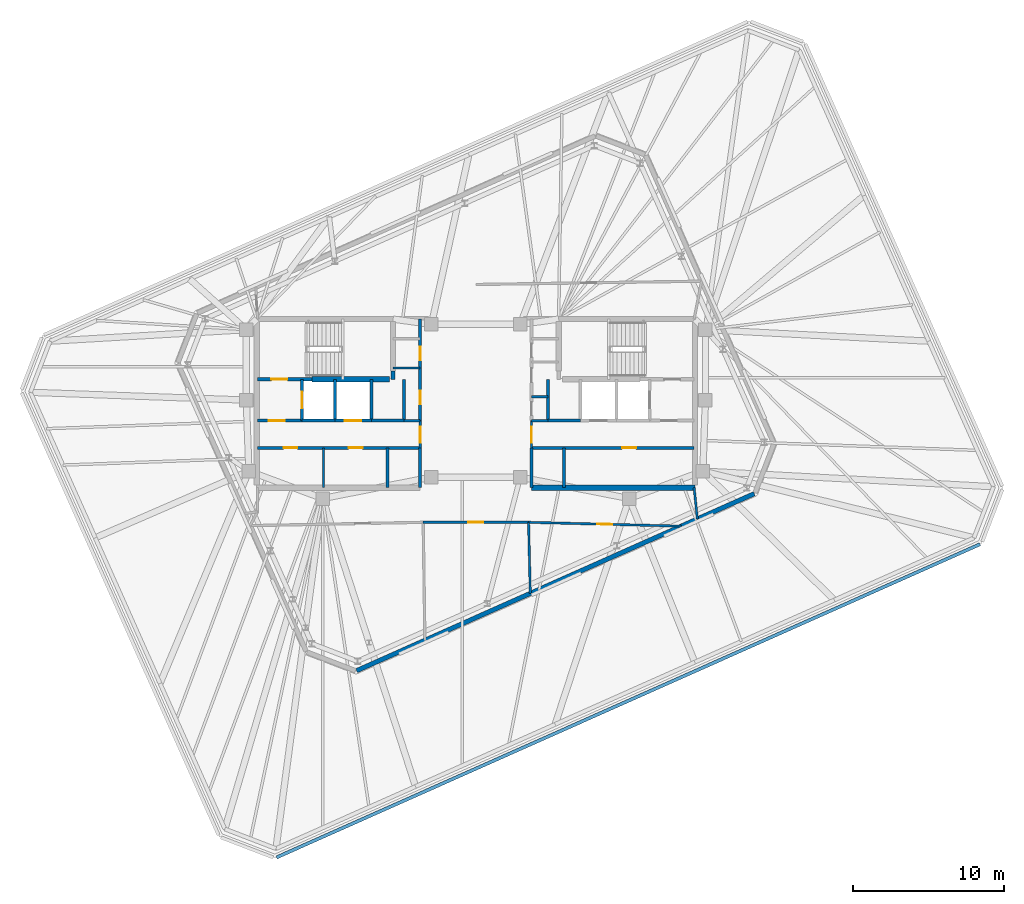
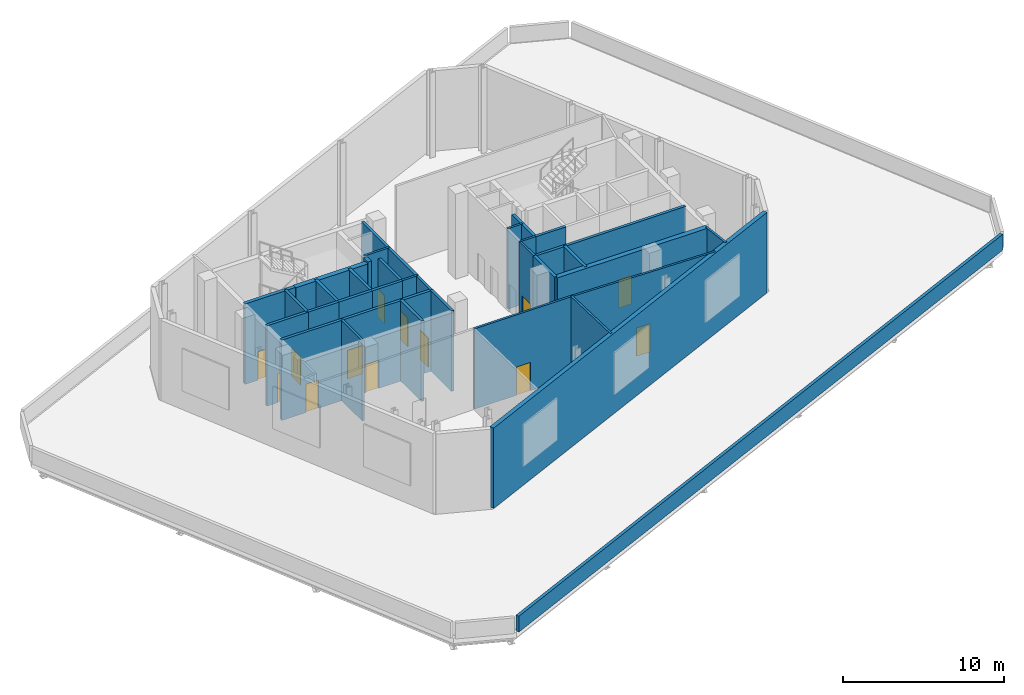
# One storey, part 7 of 10: 34 walls, 13 doors, 13 openings.
"""IFC4 building model written with IfcOpenShell, lengths in metres."""

from ifc_helpers import new_model, si_unit, direction, frame, frame_2d, origin, place, context, subcontext, project, spatial, rectangle, extrude, material, layer, layer_set, type_object, element, fill, save


model = new_model("IFC4")

# Units and contexts
model_context = context("Model", 3, precision=1e-05, world=origin(), true_north=direction((0.0, 1.0)))
body_context = subcontext(model_context, "Body", "Model", "MODEL_VIEW")
ifc_project = project(units=[si_unit("LENGTHUNIT", "METRE"), si_unit("AREAUNIT", "SQUARE_METRE"), si_unit("VOLUMEUNIT", "CUBIC_METRE"), si_unit("PLANEANGLEUNIT", "RADIAN"), si_unit("MASSUNIT", "GRAM", prefix="KILO")], contexts=[model_context])

# Site, building, storey
site_placement = place(None, origin())
site = spatial("IfcSite", under=ifc_project, at=site_placement, CompositionType="ELEMENT")
building_placement = place(site_placement, origin())
building = spatial("IfcBuilding", under=site, at=building_placement, Name="Menara Jurai Vektor", CompositionType="ELEMENT")
storey_placement = place(building_placement, frame((0.0, 0.0, 305.550048828125)))
storey = spatial("IfcBuildingStorey", under=building, at=storey_placement, Name="L82", CompositionType="ELEMENT", Elevation=305.550048828125)

# Walls
ifc_material_1 = material(Name="Insulated Pale Aluminium Spandrel Wall", Category="aluminium")
ifc_layer_1 = layer(ifc_material_1, 0.300048828125)
ifc_layer_set_1 = layer_set([ifc_layer_1], Name="Insulated Pale Aluminium Spandrel Wall")
wall_type_1 = type_object("IfcWallType", Name="ENV-WALL-EXT300", PredefinedType="STANDARD", material=ifc_layer_set_1)
wall_1_placement = place(storey_placement, frame((-7.917724609375, -17.755615234375, 0.0), z_axis=(0.0, 0.0, 1.0), x_axis=(0.913542158844, 0.406744052217, 0.0)))
element("IfcWall", 1, at=wall_1_placement, inside=storey, type_object=wall_type_1, Name="Crown Plant Drum Enclosure Wall 01", PredefinedType="STANDARD", context=body_context, shape_type="SweptSolid", body=[
    extrude(rectangle(XDim=28.91015625, YDim=0.300048828125, at=frame_2d((14.455078125, 0.0))), origin(), (0.0, 0.0, 1.0), 6.099853515625),
])
ifc_material_2 = material(Name="Concrete C40/50", Category="concrete")
ifc_layer_2 = layer(ifc_material_2, 0.219970703125)
ifc_layer_set_2 = layer_set([ifc_layer_2], Name="Concrete C40/50")
wall_type_2 = type_object("IfcWallType", Name="ENV-WALL-PARAPET220", PredefinedType="PARAPET", material=ifc_layer_set_2)
wall_2_placement = place(storey_placement, frame((-13.239501953125, -30.161376953125, 0.0), z_axis=(0.0, 0.0, 1.0), x_axis=(0.913545087995, 0.406737473317, 0.0)))
element("IfcWall", 2, at=wall_2_placement, inside=storey, type_object=wall_type_2, Name="Roof Parapet Wall L82-BLK5-01", PredefinedType="PARAPET", context=body_context, shape_type="SweptSolid", body=[
    extrude(rectangle(XDim=51.157958984375, YDim=0.219970703125, at=frame_2d((25.5791015625, 0.0))), origin(), (0.0, 0.0, 1.0), 1.199951171875),
])

# Wall, opening, door
ifc_layer_3 = layer(ifc_material_2, 0.25)
ifc_layer_set_3 = layer_set([ifc_layer_3], Name="Concrete C40/50")
wall_type_3 = type_object("IfcWallType", Name="INT-WALL-CORE-250", PredefinedType="STANDARD", material=ifc_layer_set_3)
wall_3_placement = place(storey_placement, frame((-14.5, 1.60009765625, 0.0), z_axis=(0.0, 0.0, 1.0), x_axis=(1.0, 0.0, 0.0)))
wall_3 = element("IfcWall", 3, at=wall_3_placement, inside=storey, type_object=wall_type_3, Name="Interior Wall IW-250 L82", PredefinedType="STANDARD", context=body_context, shape_type="SweptSolid", body=[
    extrude(rectangle(XDim=3.60009765625, YDim=0.25, at=frame_2d((1.800048828125, 0.0))), origin(), (0.0, 0.0, 1.0), 6.099853515625),
])
opening_1_placement = place(wall_3_placement, frame((0.919921875, 0.0, 0.0)))
opening_1 = element("IfcOpeningElement", 4, at=opening_1_placement, cuts=wall_3, Name="Opening D-L82-ST1", PredefinedType="OPENING", context=body_context, shape_type="SweptSolid", body=[
    extrude(rectangle(XDim=1.050048828125, YDim=2.14990234375, at=frame_2d((0.52490234375, 1.074951171875))), frame((0.0, 0.135009765625, 0.0), z_axis=(0.0, -1.0, 0.0), x_axis=(1.0, 0.0, 0.0)), (0.0, 0.0, 1.0), 0.27001953125),
])
ifc_material_3 = material(Name="Fire-Rated Steel Door", Category="steel")
door_type_1 = type_object("IfcDoorType", Name="DR-STAIR-1050", OperationType="NOTDEFINED", PredefinedType="DOOR", material=ifc_material_3)
door_1_placement = place(opening_1_placement, origin())
door_1 = element("IfcDoor", 5, at=door_1_placement, inside=storey, type_object=door_type_1, Name="Exit Stair ST1 Door L82", OperationType="SINGLE_SWING_RIGHT", OverallHeight=2.14990234375, OverallWidth=1.050048828125, PredefinedType="DOOR", context=body_context, shape_type="SweptSolid", body=[
    extrude(rectangle(XDim=1.050048828125, YDim=2.14990234375, at=frame_2d((0.52490234375, 1.074951171875))), frame((0.0, 0.02490234375, 0.0), z_axis=(0.0, -1.0, 0.0), x_axis=(1.0, 0.0, 0.0)), (0.0, 0.0, 1.0), 0.050048828125),
])
fill(opening_1, door_1)

# Wall
wall_4_placement = place(storey_placement, frame((-5.5, 1.60009765625, 0.0), z_axis=(0.0, 0.0, 1.0), x_axis=(0.0, 1.0, 0.0)))
element("IfcWall", 6, at=wall_4_placement, inside=storey, type_object=wall_type_3, Name="Interior Wall IW-250 L82", PredefinedType="STANDARD", context=body_context, shape_type="SweptSolid", body=[
    extrude(rectangle(XDim=0.5498046875, YDim=0.25, at=frame_2d((0.27490234375, 0.0))), origin(), (0.0, 0.0, 1.0), 6.099853515625),
])

# Wall, opening, door
wall_5_placement = place(storey_placement, frame((-11.550048828125, -1.14990234375, 0.0), z_axis=(0.0, 0.0, 1.0), x_axis=(0.0, 1.0, 0.0)))
wall_5 = element("IfcWall", 7, at=wall_5_placement, inside=storey, type_object=wall_type_3, Name="Interior Wall IW-250 L82", PredefinedType="STANDARD", context=body_context, shape_type="SweptSolid", body=[
    extrude(rectangle(XDim=2.75, YDim=0.199951171875, at=frame_2d((1.375, 0.0))), origin(), (0.0, 0.0, 1.0), 6.099853515625),
])
opening_2_placement = place(wall_5_placement, frame((0.824951171875, 0.0, 0.0)))
opening_2 = element("IfcOpeningElement", 8, at=opening_2_placement, cuts=wall_5, Name="Opening LD-L82-FL1", PredefinedType="OPENING", context=body_context, shape_type="SweptSolid", body=[
    extrude(rectangle(XDim=1.10009765625, YDim=2.14990234375, at=frame_2d((0.550048828125, 1.074951171875))), frame((0.0, 0.10986328125, 0.0), z_axis=(0.0, -1.0, 0.0), x_axis=(1.0, 0.0, 0.0)), (0.0, 0.0, 1.0), 0.219970703125),
])
ifc_material_4 = material(Name="Stainless Steel Sliding Lift Landing Door", Category="steel")
door_type_2 = type_object("IfcDoorType", Name="DR-LIFT-FIRE-1100", OperationType="NOTDEFINED", PredefinedType="DOOR", material=ifc_material_4)
door_2_placement = place(opening_2_placement, origin())
door_2 = element("IfcDoor", 9, at=door_2_placement, inside=storey, type_object=door_type_2, Name="Lift Landing Door FL1 L82", OperationType="SLIDING_TO_RIGHT", OverallHeight=2.14990234375, OverallWidth=1.10009765625, PredefinedType="DOOR", context=body_context, shape_type="SweptSolid", body=[
    extrude(rectangle(XDim=1.10009765625, YDim=2.14990234375, at=frame_2d((0.550048828125, 1.074951171875))), frame((0.0, 0.02490234375, 0.0), z_axis=(0.0, -1.0, 0.0), x_axis=(1.0, 0.0, 0.0)), (0.0, 0.0, 1.0), 0.050048828125),
])
fill(opening_2, door_2)

# Wall
wall_6_placement = place(storey_placement, frame((-9.35009765625, -1.14990234375, 0.0), z_axis=(0.0, 0.0, 1.0), x_axis=(0.0, 1.0, 0.0)))
element("IfcWall", 10, at=wall_6_placement, inside=storey, type_object=wall_type_3, Name="Interior Wall IW-250 L82", PredefinedType="STANDARD", context=body_context, shape_type="SweptSolid", body=[
    extrude(rectangle(XDim=2.75, YDim=0.199951171875, at=frame_2d((1.375, 0.0))), origin(), (0.0, 0.0, 1.0), 6.099853515625),
])

# Wall, opening, door
wall_7_placement = place(storey_placement, frame((-14.5, -1.14990234375, 0.0), z_axis=(0.0, 0.0, 1.0), x_axis=(1.0, 0.0, 0.0)))
wall_7 = element("IfcWall", 11, at=wall_7_placement, inside=storey, type_object=wall_type_3, Name="Interior Wall IW-250 L82", PredefinedType="STANDARD", context=body_context, shape_type="SweptSolid", body=[
    extrude(rectangle(XDim=2.949951171875, YDim=0.199951171875, at=frame_2d((1.47509765625, 0.0))), origin(), (0.0, 0.0, 1.0), 6.099853515625),
])
opening_3_placement = place(wall_7_placement, frame((0.75, 0.0, 0.0)))
opening_3 = element("IfcOpeningElement", 12, at=opening_3_placement, cuts=wall_7, Name="Opening D-L82-FFW", PredefinedType="OPENING", context=body_context, shape_type="SweptSolid", body=[
    extrude(rectangle(XDim=1.050048828125, YDim=2.179931640625, at=frame_2d((0.52490234375, 1.08984375))), frame((0.0, 0.10986328125, 0.0), z_axis=(0.0, -1.0, 0.0), x_axis=(1.0, 0.0, 0.0)), (0.0, 0.0, 1.0), 0.219970703125),
])
ifc_material_5 = material(Name="Fire-Rated Timber Door", Category="wood")
door_type_3 = type_object("IfcDoorType", Name="DR-LOBBY-1050", OperationType="NOTDEFINED", PredefinedType="DOOR", material=ifc_material_5)
door_3_placement = place(opening_3_placement, origin())
door_3 = element("IfcDoor", 13, at=door_3_placement, inside=storey, type_object=door_type_3, Name="Fire Lift Lobby Door W L82", OperationType="SINGLE_SWING_RIGHT", OverallHeight=2.179931640625, OverallWidth=1.050048828125, PredefinedType="DOOR", context=body_context, shape_type="SweptSolid", body=[
    extrude(rectangle(XDim=1.050048828125, YDim=2.179931640625, at=frame_2d((0.52490234375, 1.08984375))), frame((0.0, 0.02490234375, 0.0), z_axis=(0.0, -1.0, 0.0), x_axis=(1.0, 0.0, 0.0)), (0.0, 0.0, 1.0), 0.050048828125),
])
fill(opening_3, door_3)

# Wall
wall_8_placement = place(storey_placement, frame((-11.550048828125, -1.14990234375, 0.0), z_axis=(0.0, 0.0, 1.0), x_axis=(1.0, 0.0, 0.0)))
element("IfcWall", 14, at=wall_8_placement, inside=storey, type_object=wall_type_3, Name="Interior Wall IW-250 L82", PredefinedType="STANDARD", context=body_context, shape_type="SweptSolid", body=[
    extrude(rectangle(XDim=2.199951171875, YDim=0.199951171875, at=frame_2d((1.10009765625, 0.0))), origin(), (0.0, 0.0, 1.0), 6.099853515625),
])

# Wall, opening, door
ifc_material_6 = material(Name="Gypsum Fireboard Partition", Category="gypsum")
ifc_layer_4 = layer(ifc_material_6, 0.14990234375)
ifc_layer_set_4 = layer_set([ifc_layer_4], Name="Gypsum Fireboard Partition")
wall_type_4 = type_object("IfcWallType", Name="INT-WALL-CORR-150", PredefinedType="PARTITIONING", material=ifc_layer_set_4)
wall_9_placement = place(storey_placement, frame((-3.699951171875, -2.949951171875, 0.0), z_axis=(0.0, 0.0, 1.0), x_axis=(0.0, 1.0, 0.0)))
wall_9 = element("IfcWall", 15, at=wall_9_placement, inside=storey, type_object=wall_type_4, Name="Interior Wall IW-150 L82", PredefinedType="PARTITIONING", context=body_context, shape_type="SweptSolid", body=[
    extrude(rectangle(XDim=1.800048828125, YDim=0.14990234375, at=frame_2d((0.89990234375, 0.0))), origin(), (0.0, 0.0, 1.0), 6.099853515625),
])
opening_4_placement = place(wall_9_placement, frame((0.35009765625, 0.0, 0.0)))
opening_4 = element("IfcOpeningElement", 16, at=opening_4_placement, cuts=wall_9, Name="Opening D-L82-LLW", PredefinedType="OPENING", context=body_context, shape_type="SweptSolid", body=[
    extrude(rectangle(XDim=1.050048828125, YDim=2.179931640625, at=frame_2d((0.52490234375, 1.08984375))), frame((0.0, 0.0849609375, 0.0), z_axis=(0.0, -1.0, 0.0), x_axis=(1.0, 0.0, 0.0)), (0.0, 0.0, 1.0), 0.169921875),
])
door_4_placement = place(opening_4_placement, origin())
door_4 = element("IfcDoor", 17, at=door_4_placement, inside=storey, type_object=door_type_3, Name="Lift Lobby Corridor Door W L82", OperationType="SINGLE_SWING_LEFT", OverallHeight=2.179931640625, OverallWidth=1.050048828125, PredefinedType="DOOR", context=body_context, shape_type="SweptSolid", body=[
    extrude(rectangle(XDim=1.050048828125, YDim=2.179931640625, at=frame_2d((0.52490234375, 1.08984375))), frame((0.0, 0.02490234375, 0.0), z_axis=(0.0, -1.0, 0.0), x_axis=(1.0, 0.0, 0.0)), (0.0, 0.0, 1.0), 0.050048828125),
])
fill(opening_4, door_4)

# Wall
wall_10_placement = place(storey_placement, frame((-4.7900390625, -1.14990234375, 0.0), z_axis=(0.0, 0.0, 1.0), x_axis=(1.0, 0.0, 0.0)))
element("IfcWall", 18, at=wall_10_placement, inside=storey, type_object=wall_type_4, Name="Interior Wall IW-150 L82", PredefinedType="PARTITIONING", context=body_context, shape_type="SweptSolid", body=[
    extrude(rectangle(XDim=1.090087890625, YDim=0.14990234375, at=frame_2d((0.544921875, 0.0))), origin(), (0.0, 0.0, 1.0), 6.099853515625),
])

# Wall, opening, door
wall_11_placement = place(storey_placement, frame((3.699951171875, -2.949951171875, 0.0), z_axis=(0.0, 0.0, 1.0), x_axis=(0.0, 1.0, 0.0)))
wall_11 = element("IfcWall", 19, at=wall_11_placement, inside=storey, type_object=wall_type_4, Name="Interior Wall IW-150 L82", PredefinedType="PARTITIONING", context=body_context, shape_type="SweptSolid", body=[
    extrude(rectangle(XDim=1.800048828125, YDim=0.14990234375, at=frame_2d((0.89990234375, 0.0))), origin(), (0.0, 0.0, 1.0), 6.099853515625),
])
opening_5_placement = place(wall_11_placement, frame((0.35009765625, 0.0, 0.0)))
opening_5 = element("IfcOpeningElement", 20, at=opening_5_placement, cuts=wall_11, Name="Opening D-L82-LLE", PredefinedType="OPENING", context=body_context, shape_type="SweptSolid", body=[
    extrude(rectangle(XDim=1.050048828125, YDim=2.179931640625, at=frame_2d((0.52490234375, 1.08984375))), frame((0.0, 0.0849609375, 0.0), z_axis=(0.0, -1.0, 0.0), x_axis=(1.0, 0.0, 0.0)), (0.0, 0.0, 1.0), 0.169921875),
])
door_5_placement = place(opening_5_placement, frame((1.050048828125, 0.0, 0.0), z_axis=(0.0, 0.0, 1.0), x_axis=(-1.0, 0.0, 0.0)))
door_5 = element("IfcDoor", 21, at=door_5_placement, inside=storey, type_object=door_type_3, Name="Lift Lobby Corridor Door E L82", OperationType="SINGLE_SWING_RIGHT", OverallHeight=2.179931640625, OverallWidth=1.050048828125, PredefinedType="DOOR", context=body_context, shape_type="SweptSolid", body=[
    extrude(rectangle(XDim=1.050048828125, YDim=2.179931640625, at=frame_2d((0.52490234375, 1.08984375))), frame((0.0, 0.02490234375, 0.0), z_axis=(0.0, -1.0, 0.0), x_axis=(1.0, 0.0, 0.0)), (0.0, 0.0, 1.0), 0.050048828125),
])
fill(opening_5, door_5)

# Walls
wall_12_placement = place(storey_placement, frame((3.699951171875, -1.14990234375, 0.0), z_axis=(0.0, 0.0, 1.0), x_axis=(1.0, 0.0, 0.0)))
element("IfcWall", 22, at=wall_12_placement, inside=storey, type_object=wall_type_4, Name="Interior Wall IW-150 L82", PredefinedType="PARTITIONING", context=body_context, shape_type="SweptSolid", body=[
    extrude(rectangle(XDim=1.090087890625, YDim=0.14990234375, at=frame_2d((0.544921875, 0.0))), origin(), (0.0, 0.0, 1.0), 6.099853515625),
])
wall_13_placement = place(storey_placement, frame((-10.1201171875, -5.60009765625, 0.0), z_axis=(0.0, 0.0, 1.0), x_axis=(0.0, 1.0, 0.0)))
element("IfcWall", 23, at=wall_13_placement, inside=storey, type_object=wall_type_4, Name="Interior Wall IW-150 L82", PredefinedType="PARTITIONING", context=body_context, shape_type="SweptSolid", body=[
    extrude(rectangle(XDim=2.650146484375, YDim=0.14990234375, at=frame_2d((1.3251953125, 0.0))), origin(), (0.0, 0.0, 1.0), 6.099853515625),
])
wall_14_placement = place(storey_placement, frame((-5.5, 2.35009765625, 0.0), z_axis=(0.0, 0.0, 1.0), x_axis=(1.0, 0.0, 0.0)))
element("IfcWall", 24, at=wall_14_placement, inside=storey, type_object=wall_type_4, Name="Interior Wall IW-150 L82", PredefinedType="PARTITIONING", context=body_context, shape_type="SweptSolid", body=[
    extrude(rectangle(XDim=1.800048828125, YDim=0.14990234375, at=frame_2d((0.89990234375, 0.0))), origin(), (0.0, 0.0, 1.0), 6.099853515625),
])
wall_15_placement = place(storey_placement, frame((3.699951171875, 0.449951171875, 0.0), z_axis=(0.0, 0.0, 1.0), x_axis=(1.0, 0.0, 0.0)))
element("IfcWall", 25, at=wall_15_placement, inside=storey, type_object=wall_type_4, Name="Interior Wall IW-150 L82", PredefinedType="PARTITIONING", context=body_context, shape_type="SweptSolid", body=[
    extrude(rectangle(XDim=1.090087890625, YDim=0.14990234375, at=frame_2d((0.544921875, 0.0))), origin(), (0.0, 0.0, 1.0), 6.099853515625),
])
wall_16_placement = place(storey_placement, frame((14.71337890625, -7.679443359375, 0.0), z_axis=(0.0, 0.0, 1.0), x_axis=(-0.102082211354, 0.994775965796, 0.0)))
element("IfcWall", 26, at=wall_16_placement, inside=storey, type_object=wall_type_4, Name="Interior Wall IW-150 L82", PredefinedType="PARTITIONING", context=body_context, shape_type="SweptSolid", body=[
    extrude(rectangle(XDim=2.09033203125, YDim=0.14990234375, at=frame_2d((1.045166015625, 0.0))), origin(), (0.0, 0.0, 1.0), 6.099853515625),
])

# Wall, opening, door
wall_17_placement = place(storey_placement, frame((-3.5, -7.89990234375, 0.0), z_axis=(0.0, 0.0, 1.0), x_axis=(1.0, 0.0, 0.0)))
wall_17 = element("IfcWall", 27, at=wall_17_placement, inside=storey, type_object=wall_type_4, Name="Interior Wall IW-150 L82", PredefinedType="PARTITIONING", context=body_context, shape_type="SweptSolid", body=[
    extrude(rectangle(XDim=7.0, YDim=0.14990234375, at=frame_2d((3.5, 0.0))), origin(), (0.0, 0.0, 1.0), 6.099853515625),
])
opening_6_placement = place(wall_17_placement, frame((3.0, 0.0, 0.0)))
opening_6 = element("IfcOpeningElement", 28, at=opening_6_placement, cuts=wall_17, Name="Opening D82-12", PredefinedType="OPENING", context=body_context, shape_type="SweptSolid", body=[
    extrude(rectangle(XDim=1.0, YDim=2.14990234375, at=frame_2d((0.5, 1.074951171875))), frame((0.0, 0.0849609375, 0.0), z_axis=(0.0, -1.0, 0.0), x_axis=(1.0, 0.0, 0.0)), (0.0, 0.0, 1.0), 0.169921875),
])
ifc_material_7 = material(Name="Solid Core Timber Fire Door", Category="wood")
door_type_4 = type_object("IfcDoorType", Name="DR-ENTRY-950", OperationType="NOTDEFINED", PredefinedType="DOOR", material=ifc_material_7)
door_6_placement = place(opening_6_placement, origin())
door_6 = element("IfcDoor", 29, at=door_6_placement, inside=storey, type_object=door_type_4, Name="Interior Door D82-12", OperationType="SINGLE_SWING_RIGHT", OverallHeight=2.14990234375, OverallWidth=1.0, PredefinedType="DOOR", context=body_context, shape_type="SweptSolid", body=[
    extrude(rectangle(XDim=1.0, YDim=2.14990234375, at=frame_2d((0.5, 1.074951171875))), frame((0.0, 0.02490234375, 0.0), z_axis=(0.0, -1.0, 0.0), x_axis=(1.0, 0.0, 0.0)), (0.0, 0.0, 1.0), 0.050048828125),
])
fill(opening_6, door_6)

wall_18_placement = place(storey_placement, frame((3.5, -7.89990234375, 0.0), z_axis=(0.0, 0.0, 1.0), x_axis=(0.99968204603, -0.025215210576, 0.0)))
wall_18 = element("IfcWall", 30, at=wall_18_placement, inside=storey, type_object=wall_type_4, Name="Interior Wall IW-150 L82", PredefinedType="PARTITIONING", context=body_context, shape_type="SweptSolid", body=[
    extrude(rectangle(XDim=10.14697265625, YDim=0.14990234375, at=frame_2d((5.073486328125, 0.0))), origin(), (0.0, 0.0, 1.0), 6.099853515625),
])
opening_7_placement = place(wall_18_placement, frame((4.573486328125, 0.0, 0.0)))
opening_7 = element("IfcOpeningElement", 31, at=opening_7_placement, cuts=wall_18, Name="Opening D82-13", PredefinedType="OPENING", context=body_context, shape_type="SweptSolid", body=[
    extrude(rectangle(XDim=1.0, YDim=2.14990234375, at=frame_2d((0.5, 1.074951171875))), frame((0.0, 0.0849609375, 0.0), z_axis=(0.0, -1.0, 0.0), x_axis=(1.0, 0.0, 0.0)), (0.0, 0.0, 1.0), 0.169921875),
])
door_7_placement = place(opening_7_placement, origin())
door_7 = element("IfcDoor", 32, at=door_7_placement, inside=storey, type_object=door_type_4, Name="Interior Door D82-13", OperationType="SINGLE_SWING_LEFT", OverallHeight=2.14990234375, OverallWidth=1.0, PredefinedType="DOOR", context=body_context, shape_type="SweptSolid", body=[
    extrude(rectangle(XDim=1.0, YDim=2.14990234375, at=frame_2d((0.5, 1.074951171875))), frame((0.0, 0.02490234375, 0.0), z_axis=(0.0, -1.0, 0.0), x_axis=(1.0, 0.0, 0.0)), (0.0, 0.0, 1.0), 0.050048828125),
])
fill(opening_7, door_7)

# Wall
wall_19_placement = place(storey_placement, frame((3.614013671875, -12.62109375, 0.0), z_axis=(0.0, 0.0, 1.0), x_axis=(-0.024142304503, 0.99970853209, 0.0)))
element("IfcWall", 33, at=wall_19_placement, inside=storey, type_object=wall_type_4, Name="Interior Wall IW-150 L82", PredefinedType="PARTITIONING", context=body_context, shape_type="SweptSolid", body=[
    extrude(rectangle(XDim=4.72265625, YDim=0.14990234375, at=frame_2d((2.361328125, 0.0))), origin(), (0.0, 0.0, 1.0), 6.099853515625),
])

# Wall, openings, doors
ifc_layer_5 = layer(ifc_material_2, 0.199951171875)
ifc_layer_set_5 = layer_set([ifc_layer_5], Name="Concrete C40/50")
wall_type_5 = type_object("IfcWallType", Name="INT-WALL-SHAFT-200", PredefinedType="STANDARD", material=ifc_layer_set_5)
wall_20_placement = place(storey_placement, frame((-3.699951171875, -1.14990234375, 0.0), z_axis=(0.0, 0.0, 1.0), x_axis=(0.0, 1.0, 0.0)))
wall_20 = element("IfcWall", 34, at=wall_20_placement, inside=storey, type_object=wall_type_5, Name="Interior Wall IW-200 L82", PredefinedType="STANDARD", context=body_context, shape_type="SweptSolid", body=[
    extrude(rectangle(XDim=6.75, YDim=0.199951171875, at=frame_2d((3.375, 0.0))), origin(), (0.0, 0.0, 1.0), 6.099853515625),
])
opening_8_placement = place(wall_20_placement, frame((1.10009765625, 0.0, 0.0)))
opening_8 = element("IfcOpeningElement", 35, at=opening_8_placement, cuts=wall_20, Name="Opening D82-03", PredefinedType="OPENING", context=body_context, shape_type="SweptSolid", body=[
    extrude(rectangle(XDim=0.89990234375, YDim=2.14990234375, at=frame_2d((0.449951171875, 1.074951171875))), frame((0.0, 0.10986328125, 0.0), z_axis=(0.0, -1.0, 0.0), x_axis=(1.0, 0.0, 0.0)), (0.0, 0.0, 1.0), 0.219970703125),
])
opening_9_placement = place(wall_20_placement, frame((4.0, 0.0, 0.0)))
opening_9 = element("IfcOpeningElement", 36, at=opening_9_placement, cuts=wall_20, Name="Opening D82-04", PredefinedType="OPENING", context=body_context, shape_type="SweptSolid", body=[
    extrude(rectangle(XDim=0.919921875, YDim=2.14990234375, at=frame_2d((0.4599609375, 1.074951171875))), frame((0.0, 0.10986328125, 0.0), z_axis=(0.0, -1.0, 0.0), x_axis=(1.0, 0.0, 0.0)), (0.0, 0.0, 1.0), 0.219970703125),
])
door_8_placement = place(opening_8_placement, origin())
door_8 = element("IfcDoor", 37, at=door_8_placement, inside=storey, type_object=door_type_4, Name="Interior Door D82-03", OperationType="SINGLE_SWING_LEFT", OverallHeight=2.14990234375, OverallWidth=0.89990234375, PredefinedType="DOOR", context=body_context, shape_type="SweptSolid", body=[
    extrude(rectangle(XDim=0.89990234375, YDim=2.14990234375, at=frame_2d((0.449951171875, 1.074951171875))), frame((0.0, 0.02490234375, 0.0), z_axis=(0.0, -1.0, 0.0), x_axis=(1.0, 0.0, 0.0)), (0.0, 0.0, 1.0), 0.050048828125),
])
fill(opening_8, door_8)
door_9_placement = place(opening_9_placement, origin())
door_9 = element("IfcDoor", 38, at=door_9_placement, inside=storey, type_object=door_type_4, Name="Interior Door D82-04", OperationType="SINGLE_SWING_LEFT", OverallHeight=2.14990234375, OverallWidth=0.919921875, PredefinedType="DOOR", context=body_context, shape_type="SweptSolid", body=[
    extrude(rectangle(XDim=0.919921875, YDim=2.14990234375, at=frame_2d((0.4599609375, 1.074951171875))), frame((0.0, 0.02490234375, 0.0), z_axis=(0.0, -1.0, 0.0), x_axis=(1.0, 0.0, 0.0)), (0.0, 0.0, 1.0), 0.050048828125),
])
fill(opening_9, door_9)

# Walls
wall_21_placement = place(storey_placement, frame((-3.699951171875, -5.60009765625, 0.0), z_axis=(0.0, 0.0, 1.0), x_axis=(0.0, 1.0, 0.0)))
element("IfcWall", 39, at=wall_21_placement, inside=storey, type_object=wall_type_5, Name="Interior Wall IW-200 L82", PredefinedType="STANDARD", context=body_context, shape_type="SweptSolid", body=[
    extrude(rectangle(XDim=2.650146484375, YDim=0.199951171875, at=frame_2d((1.3251953125, 0.0))), origin(), (0.0, 0.0, 1.0), 6.099853515625),
])
wall_22_placement = place(storey_placement, frame((-6.949951171875, -1.14990234375, 0.0), z_axis=(0.0, 0.0, 1.0), x_axis=(0.0, 1.0, 0.0)))
element("IfcWall", 40, at=wall_22_placement, inside=storey, type_object=wall_type_5, Name="Interior Wall IW-200 L82", PredefinedType="STANDARD", context=body_context, shape_type="SweptSolid", body=[
    extrude(rectangle(XDim=2.75, YDim=0.199951171875, at=frame_2d((1.375, 0.0))), origin(), (0.0, 0.0, 1.0), 6.099853515625),
])

# Wall, opening, door
wall_23_placement = place(storey_placement, frame((-9.35009765625, -1.14990234375, 0.0), z_axis=(0.0, 0.0, 1.0), x_axis=(1.0, 0.0, 0.0)))
wall_23 = element("IfcWall", 41, at=wall_23_placement, inside=storey, type_object=wall_type_5, Name="Interior Wall IW-200 L82", PredefinedType="STANDARD", context=body_context, shape_type="SweptSolid", body=[
    extrude(rectangle(XDim=2.400146484375, YDim=0.199951171875, at=frame_2d((1.2001953125, 0.0))), origin(), (0.0, 0.0, 1.0), 6.099853515625),
])
opening_10_placement = place(wall_23_placement, frame((0.64990234375, 0.0, 0.0)))
opening_10 = element("IfcOpeningElement", 42, at=opening_10_placement, cuts=wall_23, Name="Opening LD-L82-SVL1", PredefinedType="OPENING", context=body_context, shape_type="SweptSolid", body=[
    extrude(rectangle(XDim=1.10009765625, YDim=2.14990234375, at=frame_2d((0.550048828125, 1.074951171875))), frame((0.0, 0.10986328125, 0.0), z_axis=(0.0, -1.0, 0.0), x_axis=(1.0, 0.0, 0.0)), (0.0, 0.0, 1.0), 0.219970703125),
])
ifc_material_8 = material(Name="Anodised Stainless Sliding Lift Landing Door", Category="steel")
door_type_5 = type_object("IfcDoorType", Name="DR-LIFT-PASS-1100", OperationType="NOTDEFINED", PredefinedType="DOOR", material=ifc_material_8)
door_10_placement = place(opening_10_placement, origin())
door_10 = element("IfcDoor", 43, at=door_10_placement, inside=storey, type_object=door_type_5, Name="Lift Landing Door SVL1 L82", OperationType="SLIDING_TO_RIGHT", OverallHeight=2.14990234375, OverallWidth=1.10009765625, PredefinedType="DOOR", context=body_context, shape_type="SweptSolid", body=[
    extrude(rectangle(XDim=1.10009765625, YDim=2.14990234375, at=frame_2d((0.550048828125, 1.074951171875))), frame((0.0, 0.02490234375, 0.0), z_axis=(0.0, -1.0, 0.0), x_axis=(1.0, 0.0, 0.0)), (0.0, 0.0, 1.0), 0.050048828125),
])
fill(opening_10, door_10)

# Walls
wall_24_placement = place(storey_placement, frame((-4.7900390625, -1.14990234375, 0.0), z_axis=(0.0, 0.0, 1.0), x_axis=(0.0, 1.0, 0.0)))
element("IfcWall", 44, at=wall_24_placement, inside=storey, type_object=wall_type_5, Name="Interior Wall IW-200 L82", PredefinedType="STANDARD", context=body_context, shape_type="SweptSolid", body=[
    extrude(rectangle(XDim=2.75, YDim=0.199951171875, at=frame_2d((1.375, 0.0))), origin(), (0.0, 0.0, 1.0), 6.099853515625),
])
wall_25_placement = place(storey_placement, frame((-6.949951171875, -1.14990234375, 0.0), z_axis=(0.0, 0.0, 1.0), x_axis=(1.0, 0.0, 0.0)))
element("IfcWall", 45, at=wall_25_placement, inside=storey, type_object=wall_type_5, Name="Interior Wall IW-200 L82", PredefinedType="STANDARD", context=body_context, shape_type="SweptSolid", body=[
    extrude(rectangle(XDim=2.159912109375, YDim=0.199951171875, at=frame_2d((1.080078125, 0.0))), origin(), (0.0, 0.0, 1.0), 6.099853515625),
])

# Wall, openings, doors
wall_26_placement = place(storey_placement, frame((-14.5, -2.949951171875, 0.0), z_axis=(0.0, 0.0, 1.0), x_axis=(1.0, 0.0, 0.0)))
wall_26 = element("IfcWall", 46, at=wall_26_placement, inside=storey, type_object=wall_type_5, Name="Interior Wall IW-200 L82", PredefinedType="STANDARD", context=body_context, shape_type="SweptSolid", body=[
    extrude(rectangle(XDim=10.800048828125, YDim=0.199951171875, at=frame_2d((5.39990234375, 0.0))), origin(), (0.0, 0.0, 1.0), 6.099853515625),
])
opening_11_placement = place(wall_26_placement, frame((1.72998046875, 0.0, 0.0)))
opening_11 = element("IfcOpeningElement", 47, at=opening_11_placement, cuts=wall_26, Name="Opening D82-01", PredefinedType="OPENING", context=body_context, shape_type="SweptSolid", body=[
    extrude(rectangle(XDim=0.919921875, YDim=2.14990234375, at=frame_2d((0.4599609375, 1.074951171875))), frame((0.0, 0.10986328125, 0.0), z_axis=(0.0, -1.0, 0.0), x_axis=(1.0, 0.0, 0.0)), (0.0, 0.0, 1.0), 0.219970703125),
])
opening_12_placement = place(wall_26_placement, frame((6.050048828125, 0.0, 0.0)))
opening_12 = element("IfcOpeningElement", 48, at=opening_12_placement, cuts=wall_26, Name="Opening D82-02", PredefinedType="OPENING", context=body_context, shape_type="SweptSolid", body=[
    extrude(rectangle(XDim=0.919921875, YDim=2.14990234375, at=frame_2d((0.4599609375, 1.074951171875))), frame((0.0, 0.10986328125, 0.0), z_axis=(0.0, -1.0, 0.0), x_axis=(1.0, 0.0, 0.0)), (0.0, 0.0, 1.0), 0.219970703125),
])
door_11_placement = place(opening_11_placement, origin())
door_11 = element("IfcDoor", 49, at=door_11_placement, inside=storey, type_object=door_type_4, Name="Interior Door D82-01", OperationType="SINGLE_SWING_LEFT", OverallHeight=2.14990234375, OverallWidth=0.919921875, PredefinedType="DOOR", context=body_context, shape_type="SweptSolid", body=[
    extrude(rectangle(XDim=0.919921875, YDim=2.14990234375, at=frame_2d((0.4599609375, 1.074951171875))), frame((0.0, 0.02490234375, 0.0), z_axis=(0.0, -1.0, 0.0), x_axis=(1.0, 0.0, 0.0)), (0.0, 0.0, 1.0), 0.050048828125),
])
fill(opening_11, door_11)
door_12_placement = place(opening_12_placement, origin())
door_12 = element("IfcDoor", 50, at=door_12_placement, inside=storey, type_object=door_type_4, Name="Interior Door D82-02", OperationType="SINGLE_SWING_RIGHT", OverallHeight=2.14990234375, OverallWidth=0.919921875, PredefinedType="DOOR", context=body_context, shape_type="SweptSolid", body=[
    extrude(rectangle(XDim=0.919921875, YDim=2.14990234375, at=frame_2d((0.4599609375, 1.074951171875))), frame((0.0, 0.02490234375, 0.0), z_axis=(0.0, -1.0, 0.0), x_axis=(1.0, 0.0, 0.0)), (0.0, 0.0, 1.0), 0.050048828125),
])
fill(opening_12, door_12)

# Walls
for number, where, z_axis, x_axis, name in (
    (51, (-5.860107421875, -5.60009765625, 0.0), (0.0, 0.0, 1.0), (0.0, 1.0, 0.0), "Interior Wall IW-200 L82"),
    (52, (3.699951171875, -5.60009765625, 0.0), (0.0, 0.0, 1.0), (0.0, 1.0, 0.0), "Interior Wall IW-200 L82"),
):
    element("IfcWall", number, at=place(storey_placement, frame(where, z_axis=z_axis, x_axis=x_axis)), inside=storey, type_object=wall_type_5, Name=name, PredefinedType="STANDARD", context=body_context, shape_type="SweptSolid", body=[
        extrude(rectangle(XDim=2.650146484375, YDim=0.199951171875, at=frame_2d((1.3251953125, 0.0))), origin(), (0.0, 0.0, 1.0), 6.099853515625),
    ])
wall_27_placement = place(storey_placement, frame((4.7900390625, -1.14990234375, 0.0), z_axis=(0.0, 0.0, 1.0), x_axis=(0.0, 1.0, 0.0)))
element("IfcWall", 53, at=wall_27_placement, inside=storey, type_object=wall_type_5, Name="Interior Wall IW-200 L82", PredefinedType="STANDARD", context=body_context, shape_type="SweptSolid", body=[
    extrude(rectangle(XDim=2.75, YDim=0.199951171875, at=frame_2d((1.375, 0.0))), origin(), (0.0, 0.0, 1.0), 6.099853515625),
])
wall_28_placement = place(storey_placement, frame((4.7900390625, -1.14990234375, 0.0), z_axis=(0.0, 0.0, 1.0), x_axis=(1.0, 0.0, 0.0)))
element("IfcWall", 54, at=wall_28_placement, inside=storey, type_object=wall_type_5, Name="Interior Wall IW-200 L82", PredefinedType="STANDARD", context=body_context, shape_type="SweptSolid", body=[
    extrude(rectangle(XDim=2.159912109375, YDim=0.199951171875, at=frame_2d((1.080078125, 0.0))), origin(), (0.0, 0.0, 1.0), 6.099853515625),
])

# Wall, opening, door
wall_29_placement = place(storey_placement, frame((3.699951171875, -2.949951171875, 0.0), z_axis=(0.0, 0.0, 1.0), x_axis=(1.0, 0.0, 0.0)))
wall_29 = element("IfcWall", 55, at=wall_29_placement, inside=storey, type_object=wall_type_5, Name="Interior Wall IW-200 L82", PredefinedType="STANDARD", context=body_context, shape_type="SweptSolid", body=[
    extrude(rectangle(XDim=10.800048828125, YDim=0.199951171875, at=frame_2d((5.39990234375, 0.0))), origin(), (0.0, 0.0, 1.0), 6.099853515625),
])
opening_13_placement = place(wall_29_placement, frame((6.02001953125, 0.0, 0.0)))
opening_13 = element("IfcOpeningElement", 56, at=opening_13_placement, cuts=wall_29, Name="Opening D82-05", PredefinedType="OPENING", context=body_context, shape_type="SweptSolid", body=[
    extrude(rectangle(XDim=0.919921875, YDim=2.14990234375, at=frame_2d((0.4599609375, 1.074951171875))), frame((0.0, 0.10986328125, 0.0), z_axis=(0.0, -1.0, 0.0), x_axis=(1.0, 0.0, 0.0)), (0.0, 0.0, 1.0), 0.219970703125),
])
door_13_placement = place(opening_13_placement, origin())
door_13 = element("IfcDoor", 57, at=door_13_placement, inside=storey, type_object=door_type_4, Name="Interior Door D82-05", OperationType="SINGLE_SWING_LEFT", OverallHeight=2.14990234375, OverallWidth=0.919921875, PredefinedType="DOOR", context=body_context, shape_type="SweptSolid", body=[
    extrude(rectangle(XDim=0.919921875, YDim=2.14990234375, at=frame_2d((0.4599609375, 1.074951171875))), frame((0.0, 0.02490234375, 0.0), z_axis=(0.0, -1.0, 0.0), x_axis=(1.0, 0.0, 0.0)), (0.0, 0.0, 1.0), 0.050048828125),
])
fill(opening_13, door_13)

# Walls
wall_30_placement = place(storey_placement, frame((5.860107421875, -5.60009765625, 0.0), z_axis=(0.0, 0.0, 1.0), x_axis=(0.0, 1.0, 0.0)))
element("IfcWall", 58, at=wall_30_placement, inside=storey, type_object=wall_type_5, Name="Interior Wall IW-200 L82", PredefinedType="STANDARD", context=body_context, shape_type="SweptSolid", body=[
    extrude(rectangle(XDim=2.650146484375, YDim=0.199951171875, at=frame_2d((1.3251953125, 0.0))), origin(), (0.0, 0.0, 1.0), 6.099853515625),
])
ifc_material_9 = material(Name="Concrete C50/60", Category="concrete")
ifc_layer_6 = layer(ifc_material_9, 0.35009765625)
ifc_layer_set_6 = layer_set([ifc_layer_6], Name="Concrete C50/60")
wall_type_6 = type_object("IfcWallType", Name="STR-WALL-CORE350", PredefinedType="SHEAR", material=ifc_layer_set_6)
wall_31_placement = place(storey_placement, frame((-10.89990234375, 1.60009765625, 0.0), z_axis=(0.0, 0.0, 1.0), x_axis=(1.0, 0.0, 0.0)))
element("IfcWall", 59, at=wall_31_placement, inside=storey, type_object=wall_type_6, Name="Core Shear Wall CW-W-STS L82", PredefinedType="SHEAR", context=body_context, shape_type="SweptSolid", body=[
    extrude(rectangle(XDim=5.14990234375, YDim=0.35009765625, at=frame_2d((2.574951171875, 0.0))), origin(), (0.0, 0.0, 1.0), 6.099853515625),
])
wall_32_placement = place(storey_placement, frame((3.699951171875, -5.60009765625, 0.0), z_axis=(0.0, 0.0, 1.0), x_axis=(1.0, 0.0, 0.0)))
element("IfcWall", 60, at=wall_32_placement, inside=storey, type_object=wall_type_6, Name="Core Shear Wall CW-E-S L82", PredefinedType="SHEAR", context=body_context, shape_type="SweptSolid", body=[
    extrude(rectangle(XDim=10.860107421875, YDim=0.35009765625, at=frame_2d((5.43017578125, 0.0))), origin(), (0.0, 0.0, 1.0), 6.099853515625),
])

save(model, "model.ifc")
